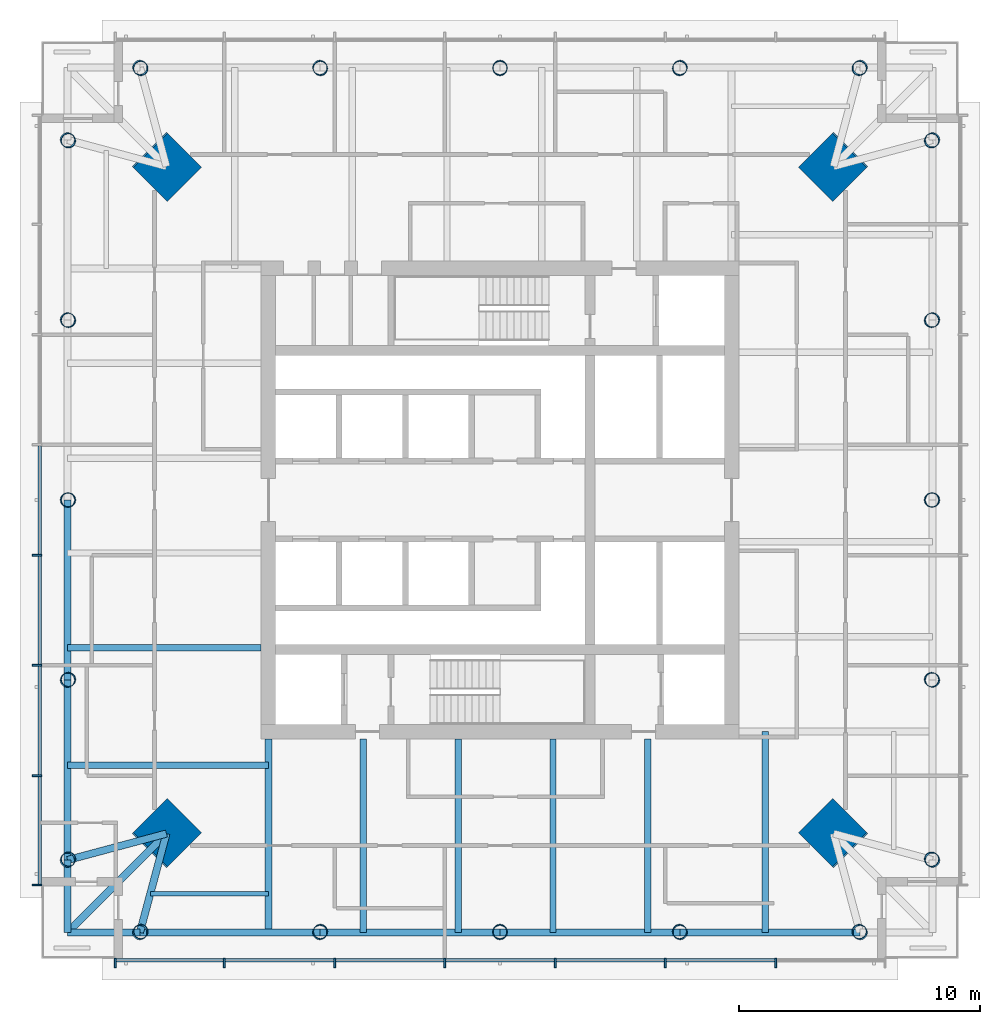
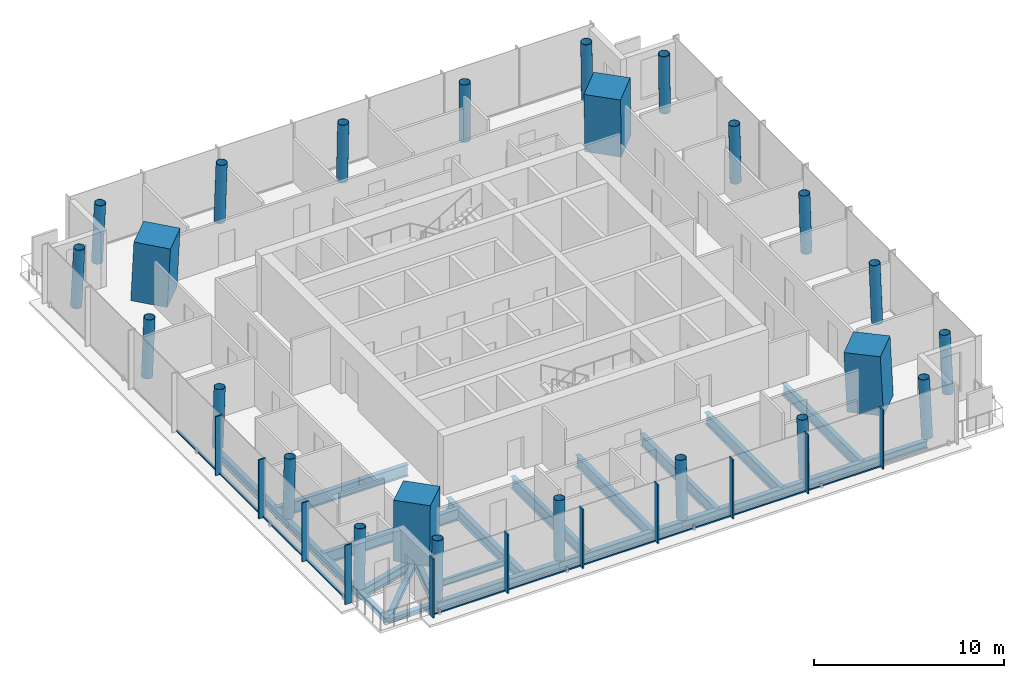
# One storey, part 1 of 11: 24 columns, 21 members, 20 beams, 2 elements without a shape of their own.
"""IFC4 building model written with IfcOpenShell, lengths in metres."""

import ifcopenshell
import ifcopenshell.guid

model = None  # the IFC model being written
_history = None  # IfcOwnerHistory: only IFC2X3 demands one
_inside = {}  # id of a spatial element -> (the spatial element, [elements in it])
_under = {}  # id of a project, library or spatial element -> (it, [spatial elements below it])
_declared = {}  # id of a project -> (the project, [libraries it declares])
_typed = {}  # id of a type object -> (the type object, [elements of that type])
_made_of = {}  # id of a material, layer set ... -> (it, [elements and type objects made of it])


def new_model(schema):
    """Start an empty IFC model of exactly this schema.

    Asked for "IFC4X3", IfcOpenShell would pick the latest addendum, in which some entities
    have other attributes; the version numbers below select the first issue.
    IFC2X3 requires an IfcOwnerHistory on every rooted entity: one is made here for all.
    """
    global model, _history
    if schema == "IFC4X3":
        model = ifcopenshell.file(schema_version=(4, 3, 0, 0))
    else:
        model = ifcopenshell.file(schema=schema)
    _inside.clear()
    _under.clear()
    _declared.clear()
    _typed.clear()
    _made_of.clear()
    _history = None
    if model.schema == "IFC2X3":
        org = make("IfcOrganization", Name="unknown")
        user = make(
            "IfcPersonAndOrganization",
            ThePerson=make("IfcPerson", FamilyName="unknown"),
            TheOrganization=org,
        )
        app = make(
            "IfcApplication",
            ApplicationDeveloper=org,
            Version="unknown",
            ApplicationFullName="unknown",
            ApplicationIdentifier="unknown",
        )
        _history = make(
            "IfcOwnerHistory",
            OwningUser=user,
            OwningApplication=app,
            ChangeAction="ADDED",
            CreationDate=0,
        )
    return model


def make(cls, **values):
    """One entity of the class cls with the attributes given. An attribute that is None is left unset."""
    return model.create_entity(
        cls, **{name: value for name, value in values.items() if value is not None}
    )


def rooted(cls, **values):
    """An entity with a GlobalId (a new one), such as an element, a storey or a relation."""
    return make(cls, GlobalId=ifcopenshell.guid.new(), OwnerHistory=_history, **values)


def si_unit(unit_type, name, prefix=None):
    """IfcSIUnit, for example si_unit("LENGTHUNIT", "METRE", prefix="MILLI")."""
    return make("IfcSIUnit", UnitType=unit_type, Prefix=prefix, Name=name)


def assignment(units):
    """IfcUnitAssignment: the units of a project."""
    return None if units is None else make("IfcUnitAssignment", Units=units)


def point(xyz):
    """IfcCartesianPoint."""
    return None if xyz is None else make("IfcCartesianPoint", Coordinates=xyz)


def direction(xyz):
    """IfcDirection."""
    return None if xyz is None else make("IfcDirection", DirectionRatios=xyz)


def frame(location, z_axis=None, x_axis=None):
    """IfcAxis2Placement3D, a coordinate frame: its origin and axes. An axis left out is left unset."""
    return make(
        "IfcAxis2Placement3D",
        Location=point(location),
        Axis=direction(z_axis),
        RefDirection=direction(x_axis),
    )


def frame_2d(location, x_axis=None):
    """IfcAxis2Placement2D, a coordinate frame in the plane: its origin and x axis."""
    return make(
        "IfcAxis2Placement2D", Location=point(location), RefDirection=direction(x_axis)
    )


def origin():
    """The frame at (0, 0, 0) with its axes left unset."""
    return frame((0.0, 0.0, 0.0))


def origin_2d():
    """The frame at (0, 0) in the plane with its x axis left unset."""
    return frame_2d((0.0, 0.0))


def place(relative_to, where):
    """IfcLocalPlacement: puts the frame where relative to a parent placement (None: the world)."""
    return make(
        "IfcLocalPlacement", PlacementRelTo=relative_to, RelativePlacement=where
    )


def context(
    kind, dimensions, precision=None, world=None, true_north=None, identifier=None
):
    """IfcGeometricRepresentationContext, for example the 3D "Model" context."""
    return make(
        "IfcGeometricRepresentationContext",
        ContextIdentifier=identifier,
        ContextType=kind,
        CoordinateSpaceDimension=dimensions,
        Precision=precision,
        WorldCoordinateSystem=world,
        TrueNorth=true_north,
    )


def subcontext(parent, identifier, kind, view, scale=None):
    """IfcGeometricRepresentationSubContext, for example "Body" below "Model"."""
    return make(
        "IfcGeometricRepresentationSubContext",
        ContextIdentifier=identifier,
        ContextType=kind,
        ParentContext=parent,
        TargetScale=scale,
        TargetView=view,
    )


def project(units=None, contexts=None):
    """IfcProject with its units and contexts."""
    return rooted(
        "IfcProject",
        Name="project",
        RepresentationContexts=contexts,
        UnitsInContext=assignment(units),
    )


def spatial(cls, under=None, at=None, **own):
    """A site, building, storey or space (cls), placed at a placement, below another one or the project."""
    s = rooted(cls, ObjectPlacement=at, **own)
    if under is not None:
        _under.setdefault(under.id(), (under, []))[1].append(s)
    return s


def profile(cls, at=None, kind="AREA", **sizes):
    """A parametric profile (cls). Its sizes go by their IFC names, for example OverallWidth=200.0."""
    return make(cls, ProfileType=kind, Position=at, **sizes)


def rectangle(**sizes):
    """IfcRectangleProfileDef."""
    return profile("IfcRectangleProfileDef", **sizes)


def hollow_circle(**sizes):
    """IfcCircleHollowProfileDef."""
    return profile("IfcCircleHollowProfileDef", **sizes)


def i_section(**sizes):
    """IfcIShapeProfileDef."""
    return profile("IfcIShapeProfileDef", **sizes)


def extrude(swept, where, along, depth):
    """IfcExtrudedAreaSolid: the profile swept, set in the frame where, extruded along a direction by depth."""
    return make(
        "IfcExtrudedAreaSolid",
        SweptArea=swept,
        Position=where,
        ExtrudedDirection=direction(along),
        Depth=depth,
    )


def shape(context_of_items, identifier, shape_type, items):
    """IfcShapeRepresentation: the items that make up one representation, for example the "Body"."""
    return make(
        "IfcShapeRepresentation",
        ContextOfItems=context_of_items,
        RepresentationIdentifier=identifier,
        RepresentationType=shape_type,
        Items=items,
    )


def material(Name=None, Category=None):
    """IfcMaterial."""
    return make("IfcMaterial", Name=Name, Category=Category)


def material_profile(
    of_material, cross_section, Name=None, Category=None, Priority=None
):
    """IfcMaterialProfile: a cross section and its material."""
    return make(
        "IfcMaterialProfile",
        Name=Name,
        Material=of_material,
        Profile=cross_section,
        Priority=Priority,
        Category=Category,
    )


def profile_set(profiles, Name=None, composite=None):
    """IfcMaterialProfileSet."""
    return make(
        "IfcMaterialProfileSet",
        Name=Name,
        MaterialProfiles=profiles,
        CompositeProfile=composite,
    )


def made_of(thing, what):
    """Note that an element or type object is made of a material, layer set ...; save() writes the relation."""
    if what is not None:
        _made_of.setdefault(what.id(), (what, []))[1].append(thing)
    return thing


def type_object(cls, material=None, **own):
    """A type object (cls), such as IfcWallType, which elements share."""
    return made_of(rooted(cls, **own), material)


def element(
    cls,
    number,
    at=None,
    inside=None,
    cuts=None,
    type_object=None,
    material=None,
    context=None,
    identifier="Body",
    shape_type=None,
    held_by="IfcProductDefinitionShape",
    body=None,
    shapes=None,
    **own,
):
    """One element of the class cls, such as IfcWall. Its Tag is "e" and its number.

    at: its placement. inside: the storey or other place that contains it. cuts: it is an
    opening in that element (IfcRelVoidsElement). A single representation is given by context,
    identifier, shape_type and body (its items); several are given by shapes. held_by: the class
    of the entity that holds the representations. save() writes the other relations.
    """
    e = rooted(cls, Tag="e%d" % number, ObjectPlacement=at, **own)
    if body is not None:
        shapes = [shape(context, identifier, shape_type, body)]
    if shapes is not None:
        e.Representation = make(held_by, Representations=shapes)
    if inside is not None:
        _inside.setdefault(inside.id(), (inside, []))[1].append(e)
    if cuts is not None:
        rooted(
            "IfcRelVoidsElement", RelatingBuildingElement=cuts, RelatedOpeningElement=e
        )
    if type_object is not None:
        _typed.setdefault(type_object.id(), (type_object, []))[1].append(e)
    return made_of(e, material)


def aggregate(whole, parts):
    """IfcRelAggregates: a whole, such as a stair, and the parts it consists of."""
    return rooted("IfcRelAggregates", RelatingObject=whole, RelatedObjects=parts)


def save(model, path):
    """Write the relations noted so far, then the file.

    IfcRelAggregates (storeys below a building ...), IfcRelContainedInSpatialStructure (elements
    in a storey), IfcRelDefinesByType, IfcRelAssociatesMaterial and IfcRelDeclares: one each for
    every whole, place, type object, material and project.
    """
    for whole, parts in _under.values():
        aggregate(whole, parts)
    for where, things in _inside.values():
        rooted(
            "IfcRelContainedInSpatialStructure",
            RelatedElements=things,
            RelatingStructure=where,
        )
    for kind, things in _typed.values():
        rooted("IfcRelDefinesByType", RelatedObjects=things, RelatingType=kind)
    for what, things in _made_of.values():
        rooted("IfcRelAssociatesMaterial", RelatedObjects=things, RelatingMaterial=what)
    for by, libraries in _declared.values():
        rooted("IfcRelDeclares", RelatingContext=by, RelatedDefinitions=libraries)
    model.write(path)


model = new_model("IFC4")

# Units and contexts
model_context = context("Model", 3, precision=1e-05, world=origin(), true_north=direction((0.0, 1.0)))
body_context = subcontext(model_context, "Body", "Model", "MODEL_VIEW")
ifc_project = project(units=[si_unit("LENGTHUNIT", "METRE"), si_unit("AREAUNIT", "SQUARE_METRE"), si_unit("VOLUMEUNIT", "CUBIC_METRE"), si_unit("PLANEANGLEUNIT", "RADIAN"), si_unit("MASSUNIT", "GRAM", prefix="KILO")], contexts=[model_context])

# Site, building, storey
site_placement = place(None, origin())
site = spatial("IfcSite", under=ifc_project, at=site_placement, CompositionType="ELEMENT")
building_placement = place(site_placement, origin())
building = spatial("IfcBuilding", under=site, at=building_placement, Name="Ostroluk Exchange", CompositionType="ELEMENT")
storey_placement = place(building_placement, frame((0.0, 0.0, 211.0)))
storey = spatial("IfcBuildingStorey", under=building, at=storey_placement, Name="L54", CompositionType="ELEMENT", Elevation=211.0)

# Columns
ifc_material_1 = material(Name="Concrete C50/60", Category="concrete")
ifc_material_profile_1 = material_profile(ifc_material_1, rectangle(XDim=2.0, YDim=2.0, at=origin_2d()), Name="RC 2000x2000")
ifc_profile_set_1 = profile_set([ifc_material_profile_1], Name="Concrete C50/60")
column_type_1 = type_object("IfcColumnType", Name="Mega column RC 2000x2000", PredefinedType="COLUMN", material=ifc_profile_set_1)
for number, where, z_axis, x_axis, name in (
    (1, (58.82861328125, 59.82861328125, 0.0), (-0.031962158256, -0.031962158256, 0.998977898093), (0.707106781187, -0.707106781187, 0.0), "T1 mega column NE"),
    (2, (31.17138671875, 59.82861328125, 0.0), (0.031962158256, -0.031962158256, 0.998977898093), (0.707106781187, 0.707106781187, 0.0), "T1 mega column NW"),
    (3, (31.17138671875, 32.17138671875, 0.0), (0.031962158256, 0.031962158256, 0.998977898093), (-0.707106781187, 0.707106781187, 0.0), "T1 mega column SW"),
    (4, (58.82861328125, 32.17138671875, 0.0), (-0.031962158256, 0.031962158256, 0.998977898093), (-0.707106781187, -0.707106781187, 0.0), "T1 mega column SE"),
):
    element("IfcColumn", number, at=place(storey_placement, frame(where, z_axis=z_axis, x_axis=x_axis)), inside=storey, type_object=column_type_1, Name=name, PredefinedType="COLUMN", context=body_context, shape_type="SweptSolid", body=[
        extrude(rectangle(XDim=2.0, YDim=2.0, at=origin_2d()), origin(), (0.0, 0.0, 1.0), 3.803955078125),
    ])
ifc_material_2 = material(Name="Steel S460", Category="steel")
ifc_material_profile_2 = material_profile(ifc_material_2, hollow_circle(Radius=0.304931640625, WallThickness=0.02490234375, at=origin_2d()), Name="CHS 610x25")
ifc_profile_set_2 = profile_set([ifc_material_profile_2], Name="Steel S460")
column_type_2 = type_object("IfcColumnType", Name="Perimeter column CHS 610x25", PredefinedType="COLUMN", material=ifc_profile_set_2)
for number, where, z_axis, x_axis, name in (
    (5, (62.928466796875, 31.071533203125, 0.0), (-0.031898107953, 0.031898107953, 0.998981992539), (-0.707106781187, -0.707106781187, 0.0), "T1 east face column E0"),
    (6, (62.928466796875, 60.928466796875, 0.0), (-0.031898107953, -0.031898107953, 0.998981992539), (0.707106781187, -0.707106781187, 0.0), "T1 east face column E1"),
):
    element("IfcColumn", number, at=place(storey_placement, frame(where, z_axis=z_axis, x_axis=x_axis)), inside=storey, type_object=column_type_2, Name=name, PredefinedType="COLUMN", context=body_context, shape_type="SweptSolid", body=[
        extrude(hollow_circle(Radius=0.304931640625, WallThickness=0.02490234375, at=origin_2d()), origin(), (0.0, 0.0, 1.0), 3.803955078125),
    ])
column_1_placement = place(storey_placement, frame((62.928466796875, 38.53564453125, 0.0), z_axis=(-0.031910269556, 0.015987237665, 0.999362868496), x_axis=(-0.447933021895, -0.894067115991, 0.0)))
element("IfcColumn", 7, at=column_1_placement, inside=storey, type_object=column_type_2, Name="T1 east face column I1", PredefinedType="COLUMN", context=body_context, shape_type="SweptSolid", body=[
    extrude(hollow_circle(Radius=0.304931640625, WallThickness=0.02490234375, at=origin_2d()), origin(), (0.0, 0.0, 1.0), 3.802490234375),
])
column_2_placement = place(storey_placement, frame((62.928466796875, 46.0, 0.0), z_axis=(-0.031914348339, 0.0, 0.999490607445), x_axis=(0.0, -1.0, 0.0)))
element("IfcColumn", 8, at=column_2_placement, inside=storey, type_object=column_type_2, Name="T1 east face column I2", PredefinedType="COLUMN", context=body_context, shape_type="SweptSolid", body=[
    extrude(hollow_circle(Radius=0.304931640625, WallThickness=0.02490234375, at=origin_2d()), origin(), (0.0, 0.0, 1.0), 3.802001953125),
])
column_3_placement = place(storey_placement, frame((62.928466796875, 53.46435546875, 0.0), z_axis=(-0.031910269556, -0.015987237665, 0.999362868496), x_axis=(0.447933021895, -0.894067115991, 0.0)))
element("IfcColumn", 9, at=column_3_placement, inside=storey, type_object=column_type_2, Name="T1 east face column I3", PredefinedType="COLUMN", context=body_context, shape_type="SweptSolid", body=[
    extrude(hollow_circle(Radius=0.304931640625, WallThickness=0.02490234375, at=origin_2d()), origin(), (0.0, 0.0, 1.0), 3.802490234375),
])
for number, where, z_axis, x_axis, name in (
    (10, (59.928466796875, 63.928466796875, 0.0), (-0.031898107953, -0.031898107953, 0.998981992539), (0.707106781187, -0.707106781187, 0.0), "T1 north face column E0"),
    (11, (30.071533203125, 63.928466796875, 0.0), (0.031898107953, -0.031898107953, 0.998981992539), (0.707106781187, 0.707106781187, 0.0), "T1 north face column E1"),
):
    element("IfcColumn", number, at=place(storey_placement, frame(where, z_axis=z_axis, x_axis=x_axis)), inside=storey, type_object=column_type_2, Name=name, PredefinedType="COLUMN", context=body_context, shape_type="SweptSolid", body=[
        extrude(hollow_circle(Radius=0.304931640625, WallThickness=0.02490234375, at=origin_2d()), origin(), (0.0, 0.0, 1.0), 3.803955078125),
    ])
column_4_placement = place(storey_placement, frame((52.46435546875, 63.928466796875, 0.0), z_axis=(-0.015987237665, -0.031910269556, 0.999362868496), x_axis=(0.894067115991, -0.447933021895, 0.0)))
element("IfcColumn", 12, at=column_4_placement, inside=storey, type_object=column_type_2, Name="T1 north face column I1", PredefinedType="COLUMN", context=body_context, shape_type="SweptSolid", body=[
    extrude(hollow_circle(Radius=0.304931640625, WallThickness=0.02490234375, at=origin_2d()), origin(), (0.0, 0.0, 1.0), 3.802490234375),
])
column_5_placement = place(storey_placement, frame((45.0, 63.928466796875, 0.0), z_axis=(0.0, -0.031914348339, 0.999490607445), x_axis=(1.0, 0.0, 0.0)))
element("IfcColumn", 13, at=column_5_placement, inside=storey, type_object=column_type_2, Name="T1 north face column I2", PredefinedType="COLUMN", context=body_context, shape_type="SweptSolid", body=[
    extrude(hollow_circle(Radius=0.304931640625, WallThickness=0.02490234375, at=origin_2d()), origin(), (0.0, 0.0, 1.0), 3.802001953125),
])
column_6_placement = place(storey_placement, frame((37.53564453125, 63.928466796875, 0.0), z_axis=(0.015987237665, -0.031910269556, 0.999362868496), x_axis=(0.894067115991, 0.447933021895, 0.0)))
element("IfcColumn", 14, at=column_6_placement, inside=storey, type_object=column_type_2, Name="T1 north face column I3", PredefinedType="COLUMN", context=body_context, shape_type="SweptSolid", body=[
    extrude(hollow_circle(Radius=0.304931640625, WallThickness=0.02490234375, at=origin_2d()), origin(), (0.0, 0.0, 1.0), 3.802490234375),
])
for number, where, z_axis, x_axis, name in (
    (15, (27.071533203125, 60.928466796875, 0.0), (0.031898107953, -0.031898107953, 0.998981992539), (0.707106781187, 0.707106781187, 0.0), "T1 west face column E0"),
    (16, (27.071533203125, 31.071533203125, 0.0), (0.031898107953, 0.031898107953, 0.998981992539), (-0.707106781187, 0.707106781187, 0.0), "T1 west face column E1"),
):
    element("IfcColumn", number, at=place(storey_placement, frame(where, z_axis=z_axis, x_axis=x_axis)), inside=storey, type_object=column_type_2, Name=name, PredefinedType="COLUMN", context=body_context, shape_type="SweptSolid", body=[
        extrude(hollow_circle(Radius=0.304931640625, WallThickness=0.02490234375, at=origin_2d()), origin(), (0.0, 0.0, 1.0), 3.803955078125),
    ])
column_7_placement = place(storey_placement, frame((27.071533203125, 53.46435546875, 0.0), z_axis=(0.031910269556, -0.015987237665, 0.999362868496), x_axis=(0.447933021895, 0.894067115991, 0.0)))
element("IfcColumn", 17, at=column_7_placement, inside=storey, type_object=column_type_2, Name="T1 west face column I1", PredefinedType="COLUMN", context=body_context, shape_type="SweptSolid", body=[
    extrude(hollow_circle(Radius=0.304931640625, WallThickness=0.02490234375, at=origin_2d()), origin(), (0.0, 0.0, 1.0), 3.802490234375),
])
column_8_placement = place(storey_placement, frame((27.071533203125, 46.0, 0.0), z_axis=(0.031914348339, 0.0, 0.999490607445), x_axis=(0.0, 1.0, 0.0)))
element("IfcColumn", 18, at=column_8_placement, inside=storey, type_object=column_type_2, Name="T1 west face column I2", PredefinedType="COLUMN", context=body_context, shape_type="SweptSolid", body=[
    extrude(hollow_circle(Radius=0.304931640625, WallThickness=0.02490234375, at=origin_2d()), origin(), (0.0, 0.0, 1.0), 3.802001953125),
])
column_9_placement = place(storey_placement, frame((27.071533203125, 38.53564453125, 0.0), z_axis=(0.031910269556, 0.015987237665, 0.999362868496), x_axis=(-0.447933021895, 0.894067115991, 0.0)))
element("IfcColumn", 19, at=column_9_placement, inside=storey, type_object=column_type_2, Name="T1 west face column I3", PredefinedType="COLUMN", context=body_context, shape_type="SweptSolid", body=[
    extrude(hollow_circle(Radius=0.304931640625, WallThickness=0.02490234375, at=origin_2d()), origin(), (0.0, 0.0, 1.0), 3.802490234375),
])
for number, where, z_axis, x_axis, name in (
    (20, (30.071533203125, 28.071533203125, 0.0), (0.031898107953, 0.031898107953, 0.998981992539), (-0.707106781187, 0.707106781187, 0.0), "T1 south face column E0"),
    (21, (59.928466796875, 28.071533203125, 0.0), (-0.031898107953, 0.031898107953, 0.998981992539), (-0.707106781187, -0.707106781187, 0.0), "T1 south face column E1"),
):
    element("IfcColumn", number, at=place(storey_placement, frame(where, z_axis=z_axis, x_axis=x_axis)), inside=storey, type_object=column_type_2, Name=name, PredefinedType="COLUMN", context=body_context, shape_type="SweptSolid", body=[
        extrude(hollow_circle(Radius=0.304931640625, WallThickness=0.02490234375, at=origin_2d()), origin(), (0.0, 0.0, 1.0), 3.803955078125),
    ])
column_10_placement = place(storey_placement, frame((37.53564453125, 28.071533203125, 0.0), z_axis=(0.015987237665, 0.031910269556, 0.999362868496), x_axis=(-0.894067115991, 0.447933021895, 0.0)))
element("IfcColumn", 22, at=column_10_placement, inside=storey, type_object=column_type_2, Name="T1 south face column I1", PredefinedType="COLUMN", context=body_context, shape_type="SweptSolid", body=[
    extrude(hollow_circle(Radius=0.304931640625, WallThickness=0.02490234375, at=origin_2d()), origin(), (0.0, 0.0, 1.0), 3.802490234375),
])
column_11_placement = place(storey_placement, frame((45.0, 28.071533203125, 0.0), z_axis=(0.0, 0.031914348339, 0.999490607445), x_axis=(-1.0, 0.0, 0.0)))
element("IfcColumn", 23, at=column_11_placement, inside=storey, type_object=column_type_2, Name="T1 south face column I2", PredefinedType="COLUMN", context=body_context, shape_type="SweptSolid", body=[
    extrude(hollow_circle(Radius=0.304931640625, WallThickness=0.02490234375, at=origin_2d()), origin(), (0.0, 0.0, 1.0), 3.802001953125),
])
column_12_placement = place(storey_placement, frame((52.46435546875, 28.071533203125, 0.0), z_axis=(-0.015987237665, 0.031910269556, 0.999362868496), x_axis=(-0.894067115991, -0.447933021895, 0.0)))
element("IfcColumn", 24, at=column_12_placement, inside=storey, type_object=column_type_2, Name="T1 south face column I3", PredefinedType="COLUMN", context=body_context, shape_type="SweptSolid", body=[
    extrude(hollow_circle(Radius=0.304931640625, WallThickness=0.02490234375, at=origin_2d()), origin(), (0.0, 0.0, 1.0), 3.802490234375),
])

# Beams
ifc_material_3 = material(Name="Steel S355", Category="steel")
ifc_material_profile_3 = material_profile(ifc_material_3, i_section(OverallWidth=0.300048828125, OverallDepth=0.300048828125, WebThickness=0.010986328125, FlangeThickness=0.01904296875, FilletRadius=0.027099609375, at=origin_2d()), Name="HEB 300")
ifc_profile_set_3 = profile_set([ifc_material_profile_3], Name="Steel S355")
beam_type_1 = type_object("IfcBeamType", Name="Balcony beam HEB 300", PredefinedType="BEAM", material=ifc_profile_set_3)
for number, where, z_axis, x_axis, name in (
    (25, (27.071533203125, 31.071533203125, -0.330078125), (0.0, -1.0, 0.0), (1.0, 0.0, 0.0), "T1 west balcony beam a"),
    (26, (30.071533203125, 28.071533203125, -0.330078125), (-1.0, 0.0, 0.0), (0.0, -1.0, 0.0), "T1 west balcony beam b"),
):
    element("IfcBeam", number, at=place(storey_placement, frame(where, z_axis=z_axis, x_axis=x_axis)), inside=storey, type_object=beam_type_1, Name=name, PredefinedType="BEAM", context=body_context, shape_type="SweptSolid", body=[
        extrude(i_section(OverallWidth=0.300048828125, OverallDepth=0.300048828125, WebThickness=0.010986328125, FlangeThickness=0.01904296875, FilletRadius=0.027099609375, at=origin_2d()), origin(), (0.0, 0.0, 1.0), 3.0),
    ])
beam_1_placement = place(storey_placement, frame((31.17138671875, 32.17138671875, -0.330078125), z_axis=(-0.707106781187, -0.707106781187, 0.0), x_axis=(0.707106781187, -0.707106781187, 0.0)))
element("IfcBeam", 27, at=beam_1_placement, inside=storey, type_object=beam_type_1, Name="T1 west balcony beam c", PredefinedType="BEAM", context=body_context, shape_type="SweptSolid", body=[
    extrude(i_section(OverallWidth=0.300048828125, OverallDepth=0.300048828125, WebThickness=0.010986328125, FlangeThickness=0.01904296875, FilletRadius=0.027099609375, at=origin_2d()), origin(), (0.0, 0.0, 1.0), 5.798095703125),
])
ifc_material_4 = material(Name="Steel S355", Category="steel")
ifc_material_profile_4 = material_profile(ifc_material_4, i_section(OverallWidth=0.300048828125, OverallDepth=0.60009765625, WebThickness=0.015380859375, FlangeThickness=0.030029296875, FilletRadius=0.027099609375, at=origin_2d()), Name="HEB 600")
ifc_profile_set_4 = profile_set([ifc_material_profile_4], Name="Steel S355")
beam_type_2 = type_object("IfcBeamType", Name="Corner edge beam HEB 600", PredefinedType="SPANDREL", material=ifc_profile_set_4)
for number, where, z_axis, x_axis, name in (
    (28, (31.17138671875, 32.17138671875, -0.47998046875), (-0.965849156574, -0.259105011038, 0.0), (0.259105011038, -0.965849156574, 0.0), "T1 west corner edge beam a"),
    (29, (31.17138671875, 32.17138671875, -0.47998046875), (-0.259105011038, -0.965849156574, 0.0), (0.965849156574, -0.259105011038, 0.0), "T1 west corner edge beam b"),
):
    element("IfcBeam", number, at=place(storey_placement, frame(where, z_axis=z_axis, x_axis=x_axis)), inside=storey, type_object=beam_type_2, Name=name, PredefinedType="SPANDREL", context=body_context, shape_type="SweptSolid", body=[
        extrude(i_section(OverallWidth=0.300048828125, OverallDepth=0.60009765625, WebThickness=0.015380859375, FlangeThickness=0.030029296875, FilletRadius=0.027099609375, at=origin_2d()), origin(), (0.0, 0.0, 1.0), 4.244873046875),
    ])
ifc_material_5 = material(Name="Steel S355", Category="steel")
ifc_material_profile_5 = material_profile(ifc_material_5, i_section(OverallWidth=0.179931640625, OverallDepth=0.39990234375, WebThickness=0.008544921875, FlangeThickness=0.013427734375, FilletRadius=0.02099609375, at=origin_2d()), Name="IPE 400")
ifc_profile_set_5 = profile_set([ifc_material_profile_5], Name="Steel S355")
beam_type_3 = type_object("IfcBeamType", Name="Floor beam IPE 400", PredefinedType="BEAM", material=ifc_profile_set_5)
beam_2_placement = place(storey_placement, frame((35.39990234375, 29.67138671875, -0.3798828125), z_axis=(-1.0, 0.0, 0.0), x_axis=(0.0, -1.0, 0.0)))
element("IfcBeam", 30, at=beam_2_placement, inside=storey, type_object=beam_type_3, Name="T1 west floor beam 6", PredefinedType="BEAM", context=body_context, shape_type="SweptSolid", body=[
    extrude(i_section(OverallWidth=0.179931640625, OverallDepth=0.39990234375, WebThickness=0.008544921875, FlangeThickness=0.013427734375, FilletRadius=0.02099609375, at=origin_2d()), origin(), (0.0, 0.0, 1.0), 4.899169921875),
])
ifc_material_6 = material(Name="Steel S355", Category="steel")
ifc_material_profile_6 = material_profile(ifc_material_6, i_section(OverallWidth=0.264892578125, OverallDepth=0.7529296875, WebThickness=0.01318359375, FlangeThickness=0.01708984375, FilletRadius=0.01708984375, at=origin_2d()), Name="IPE 750x147")
ifc_profile_set_6 = profile_set([ifc_material_profile_6], Name="Steel S355")
beam_type_4 = type_object("IfcBeamType", Name="Floor beam IPE 750x147", PredefinedType="BEAM", material=ifc_profile_set_6)
beam_3_placement = place(storey_placement, frame((35.10009765625, 39.869384765625, -0.556396484375), z_axis=(-1.0, 0.0, 0.0), x_axis=(0.0, -1.0, 0.0)))
element("IfcBeam", 31, at=beam_3_placement, inside=storey, type_object=beam_type_4, Name="T1 west floor beam 4", PredefinedType="BEAM", context=body_context, shape_type="SweptSolid", body=[
    extrude(i_section(OverallWidth=0.264892578125, OverallDepth=0.7529296875, WebThickness=0.01318359375, FlangeThickness=0.01708984375, FilletRadius=0.01708984375, at=origin_2d()), origin(), (0.0, 0.0, 1.0), 8.028564453125),
])
beam_4_placement = place(storey_placement, frame((35.39990234375, 35.0, -0.556396484375), z_axis=(-1.0, 0.0, 0.0), x_axis=(0.0, -1.0, 0.0)))
element("IfcBeam", 32, at=beam_4_placement, inside=storey, type_object=beam_type_4, Name="T1 west floor beam 5", PredefinedType="BEAM", context=body_context, shape_type="SweptSolid", body=[
    extrude(i_section(OverallWidth=0.264892578125, OverallDepth=0.7529296875, WebThickness=0.01318359375, FlangeThickness=0.01708984375, FilletRadius=0.01708984375, at=origin_2d()), origin(), (0.0, 0.0, 1.0), 8.328369140625),
])
for number, where, z_axis, x_axis, name in (
    (33, (39.332763671875, 36.10009765625, -0.556396484375), (0.0, -1.0, 0.0), (1.0, 0.0, 0.0), "T1 south floor beam 1"),
    (34, (43.265380859375, 36.10009765625, -0.556396484375), (0.0, -1.0, 0.0), (1.0, 0.0, 0.0), "T1 south floor beam 2"),
    (35, (47.197998046875, 36.10009765625, -0.556396484375), (0.0, -1.0, 0.0), (1.0, 0.0, 0.0), "T1 south floor beam 3"),
    (36, (51.130615234375, 36.10009765625, -0.556396484375), (0.0, -1.0, 0.0), (1.0, 0.0, 0.0), "T1 south floor beam 4"),
):
    element("IfcBeam", number, at=place(storey_placement, frame(where, z_axis=z_axis, x_axis=x_axis)), inside=storey, type_object=beam_type_4, Name=name, PredefinedType="BEAM", context=body_context, shape_type="SweptSolid", body=[
        extrude(i_section(OverallWidth=0.264892578125, OverallDepth=0.7529296875, WebThickness=0.01318359375, FlangeThickness=0.01708984375, FilletRadius=0.01708984375, at=origin_2d()), origin(), (0.0, 0.0, 1.0), 8.028564453125),
    ])
beam_5_placement = place(storey_placement, frame((56.0, 36.39990234375, -0.556396484375), z_axis=(0.0, -1.0, 0.0), x_axis=(1.0, 0.0, 0.0)))
element("IfcBeam", 37, at=beam_5_placement, inside=storey, type_object=beam_type_4, Name="T1 south floor beam 5", PredefinedType="BEAM", context=body_context, shape_type="SweptSolid", body=[
    extrude(i_section(OverallWidth=0.264892578125, OverallDepth=0.7529296875, WebThickness=0.01318359375, FlangeThickness=0.01708984375, FilletRadius=0.01708984375, at=origin_2d()), origin(), (0.0, 0.0, 1.0), 8.328369140625),
])
ifc_material_7 = material(Name="Steel S355", Category="steel")
ifc_material_profile_7 = material_profile(ifc_material_7, i_section(OverallWidth=0.300048828125, OverallDepth=0.699951171875, WebThickness=0.01708984375, FlangeThickness=0.031982421875, FilletRadius=0.027099609375, at=origin_2d()), Name="HEB 700")
ifc_profile_set_7 = profile_set([ifc_material_profile_7], Name="Steel S355")
beam_type_5 = type_object("IfcBeamType", Name="Girder HEB 700", PredefinedType="BEAM", material=ifc_profile_set_7)
beam_6_placement = place(storey_placement, frame((35.39990234375, 36.10009765625, -0.530029296875), z_axis=(0.0, -1.0, 0.0), x_axis=(1.0, 0.0, 0.0)))
element("IfcBeam", 38, at=beam_6_placement, inside=storey, type_object=beam_type_5, Name="T1 west girder", PredefinedType="BEAM", context=body_context, shape_type="SweptSolid", body=[
    extrude(i_section(OverallWidth=0.300048828125, OverallDepth=0.699951171875, WebThickness=0.01708984375, FlangeThickness=0.031982421875, FilletRadius=0.027099609375, at=origin_2d()), origin(), (0.0, 0.0, 1.0), 8.028564453125),
])
ifc_material_8 = material(Name="Steel S355", Category="steel")
ifc_material_profile_8 = material_profile(ifc_material_8, i_section(OverallWidth=0.300048828125, OverallDepth=0.5, WebThickness=0.014404296875, FlangeThickness=0.028076171875, FilletRadius=0.027099609375, at=origin_2d()), Name="HEB 500")
ifc_profile_set_8 = profile_set([ifc_material_profile_8], Name="Steel S355")
beam_type_6 = type_object("IfcBeamType", Name="Moment-connected edge beam HEB 500", PredefinedType="SPANDREL", material=ifc_profile_set_8)
beam_7_placement = place(storey_placement, frame((27.071533203125, 46.0, -0.429931640625), z_axis=(0.0, -1.0, 0.0), x_axis=(1.0, 0.0, 0.0)))
element("IfcBeam", 39, at=beam_7_placement, inside=storey, type_object=beam_type_6, Name="T1 west edge beam 3", PredefinedType="SPANDREL", context=body_context, shape_type="SweptSolid", body=[
    extrude(i_section(OverallWidth=0.300048828125, OverallDepth=0.5, WebThickness=0.014404296875, FlangeThickness=0.028076171875, FilletRadius=0.027099609375, at=origin_2d()), origin(), (0.0, 0.0, 1.0), 7.46435546875),
])
for number, where, z_axis, x_axis, name in (
    (40, (27.071533203125, 38.53564453125, -0.429931640625), (0.0, -1.0, 0.0), (1.0, 0.0, 0.0), "T1 west edge beam 4"),
    (41, (30.071533203125, 28.071533203125, -0.429931640625), (1.0, 0.0, 0.0), (0.0, 1.0, 0.0), "T1 south edge beam 1"),
):
    element("IfcBeam", number, at=place(storey_placement, frame(where, z_axis=z_axis, x_axis=x_axis)), inside=storey, type_object=beam_type_6, Name=name, PredefinedType="SPANDREL", context=body_context, shape_type="SweptSolid", body=[
        extrude(i_section(OverallWidth=0.300048828125, OverallDepth=0.5, WebThickness=0.014404296875, FlangeThickness=0.028076171875, FilletRadius=0.027099609375, at=origin_2d()), origin(), (0.0, 0.0, 1.0), 7.464111328125),
    ])
for number, where, z_axis, x_axis, name in (
    (42, (37.53564453125, 28.071533203125, -0.429931640625), (1.0, 0.0, 0.0), (0.0, 1.0, 0.0), "T1 south edge beam 2"),
    (43, (45.0, 28.071533203125, -0.429931640625), (1.0, 0.0, 0.0), (0.0, 1.0, 0.0), "T1 south edge beam 3"),
):
    element("IfcBeam", number, at=place(storey_placement, frame(where, z_axis=z_axis, x_axis=x_axis)), inside=storey, type_object=beam_type_6, Name=name, PredefinedType="SPANDREL", context=body_context, shape_type="SweptSolid", body=[
        extrude(i_section(OverallWidth=0.300048828125, OverallDepth=0.5, WebThickness=0.014404296875, FlangeThickness=0.028076171875, FilletRadius=0.027099609375, at=origin_2d()), origin(), (0.0, 0.0, 1.0), 7.46435546875),
    ])
beam_8_placement = place(storey_placement, frame((52.46435546875, 28.071533203125, -0.429931640625), z_axis=(1.0, 0.0, 0.0), x_axis=(0.0, 1.0, 0.0)))
element("IfcBeam", 44, at=beam_8_placement, inside=storey, type_object=beam_type_6, Name="T1 south edge beam 4", PredefinedType="SPANDREL", context=body_context, shape_type="SweptSolid", body=[
    extrude(i_section(OverallWidth=0.300048828125, OverallDepth=0.5, WebThickness=0.014404296875, FlangeThickness=0.028076171875, FilletRadius=0.027099609375, at=origin_2d()), origin(), (0.0, 0.0, 1.0), 7.464111328125),
])

# Curtain wall, members
ifc_material_9 = material(Name="Laminated clear glass", Category="glass")
curtain_wall_type = type_object("IfcCurtainWallType", Name="Office tower facade", PredefinedType="USERDEFINED", material=ifc_material_9)
curtain_wall_1_placement = place(storey_placement, origin())
curtain_wall_1 = element("IfcCurtainWall", 45, at=curtain_wall_1_placement, inside=storey, type_object=curtain_wall_type, Name="Office tower south facade L54", ObjectType="UNITISED CURTAIN WALL", PredefinedType="USERDEFINED")
ifc_material_10 = material(Name="Aluminium mullion", Category="aluminium")
ifc_material_profile_9 = material_profile(ifc_material_10, rectangle(XDim=0.14990234375, YDim=0.080078125, at=origin_2d()), Name="Sill transom 80 x 150")
ifc_profile_set_9 = profile_set([ifc_material_profile_9], Name="Aluminium mullion")
member_type_1 = type_object("IfcMemberType", Name="Sill transom 80 x 150", PredefinedType="USERDEFINED", material=ifc_profile_set_9)
member_1_placement = place(storey_placement, frame((29.080078125, 26.925048828125, 0.0400390625), z_axis=(1.0, 0.0, 0.0), x_axis=(0.0, 1.0, 0.0)))
member_1 = element("IfcMember", 46, at=member_1_placement, type_object=member_type_1, Name="CW-O1 transom 1.1", ObjectType="TRANSOM", PredefinedType="USERDEFINED", context=body_context, shape_type="SweptSolid", body=[
    extrude(rectangle(XDim=0.14990234375, YDim=0.080078125, at=origin_2d()), origin(), (0.0, 0.0, 1.0), 4.451416015625),
])
member_2_placement = place(storey_placement, frame((33.611328125, 26.925048828125, 0.0400390625), z_axis=(1.0, 0.0, 0.0), x_axis=(0.0, 1.0, 0.0)))
member_2 = element("IfcMember", 47, at=member_2_placement, type_object=member_type_1, Name="CW-O1 transom 2.1", ObjectType="TRANSOM", PredefinedType="USERDEFINED", context=body_context, shape_type="SweptSolid", body=[
    extrude(rectangle(XDim=0.14990234375, YDim=0.080078125, at=origin_2d()), origin(), (0.0, 0.0, 1.0), 4.491455078125),
])
member_3_placement = place(storey_placement, frame((38.182861328125, 26.925048828125, 0.0400390625), z_axis=(1.0, 0.0, 0.0), x_axis=(0.0, 1.0, 0.0)))
member_3 = element("IfcMember", 48, at=member_3_placement, type_object=member_type_1, Name="CW-O1 transom 3.1", ObjectType="TRANSOM", PredefinedType="USERDEFINED", context=body_context, shape_type="SweptSolid", body=[
    extrude(rectangle(XDim=0.14990234375, YDim=0.080078125, at=origin_2d()), origin(), (0.0, 0.0, 1.0), 4.491455078125),
])
member_4_placement = place(storey_placement, frame((42.75439453125, 26.925048828125, 0.0400390625), z_axis=(1.0, 0.0, 0.0), x_axis=(0.0, 1.0, 0.0)))
member_4 = element("IfcMember", 49, at=member_4_placement, type_object=member_type_1, Name="CW-O1 transom 4.1", ObjectType="TRANSOM", PredefinedType="USERDEFINED", context=body_context, shape_type="SweptSolid", body=[
    extrude(rectangle(XDim=0.14990234375, YDim=0.080078125, at=origin_2d()), origin(), (0.0, 0.0, 1.0), 4.4912109375),
])
member_5_placement = place(storey_placement, frame((47.32568359375, 26.925048828125, 0.0400390625), z_axis=(1.0, 0.0, 0.0), x_axis=(0.0, 1.0, 0.0)))
member_5 = element("IfcMember", 50, at=member_5_placement, type_object=member_type_1, Name="CW-O1 transom 5.1", ObjectType="TRANSOM", PredefinedType="USERDEFINED", context=body_context, shape_type="SweptSolid", body=[
    extrude(rectangle(XDim=0.14990234375, YDim=0.080078125, at=origin_2d()), origin(), (0.0, 0.0, 1.0), 4.491455078125),
])
member_6_placement = place(storey_placement, frame((51.897216796875, 26.925048828125, 0.0400390625), z_axis=(1.0, 0.0, 0.0), x_axis=(0.0, 1.0, 0.0)))
member_6 = element("IfcMember", 51, at=member_6_placement, type_object=member_type_1, Name="CW-O1 transom 6.1", ObjectType="TRANSOM", PredefinedType="USERDEFINED", context=body_context, shape_type="SweptSolid", body=[
    extrude(rectangle(XDim=0.14990234375, YDim=0.080078125, at=origin_2d()), origin(), (0.0, 0.0, 1.0), 4.491455078125),
])

curtain_wall_2_placement = place(storey_placement, origin())
curtain_wall_2 = element("IfcCurtainWall", 52, at=curtain_wall_2_placement, inside=storey, type_object=curtain_wall_type, Name="Office tower west facade L54", ObjectType="UNITISED CURTAIN WALL", PredefinedType="USERDEFINED")
member_7_placement = place(storey_placement, frame((25.925048828125, 48.24560546875, 0.0400390625), z_axis=(0.0, -1.0, 0.0), x_axis=(1.0, 0.0, 0.0)))
member_7 = element("IfcMember", 53, at=member_7_placement, type_object=member_type_1, Name="CW-O1 transom 4.1", ObjectType="TRANSOM", PredefinedType="USERDEFINED", context=body_context, shape_type="SweptSolid", body=[
    extrude(rectangle(XDim=0.14990234375, YDim=0.080078125, at=origin_2d()), origin(), (0.0, 0.0, 1.0), 4.4912109375),
])
member_8_placement = place(storey_placement, frame((25.925048828125, 43.67431640625, 0.0400390625), z_axis=(0.0, -1.0, 0.0), x_axis=(1.0, 0.0, 0.0)))
member_8 = element("IfcMember", 54, at=member_8_placement, type_object=member_type_1, Name="CW-O1 transom 5.1", ObjectType="TRANSOM", PredefinedType="USERDEFINED", context=body_context, shape_type="SweptSolid", body=[
    extrude(rectangle(XDim=0.14990234375, YDim=0.080078125, at=origin_2d()), origin(), (0.0, 0.0, 1.0), 4.491455078125),
])
member_9_placement = place(storey_placement, frame((25.925048828125, 39.102783203125, 0.0400390625), z_axis=(0.0, -1.0, 0.0), x_axis=(1.0, 0.0, 0.0)))
member_9 = element("IfcMember", 55, at=member_9_placement, type_object=member_type_1, Name="CW-O1 transom 6.1", ObjectType="TRANSOM", PredefinedType="USERDEFINED", context=body_context, shape_type="SweptSolid", body=[
    extrude(rectangle(XDim=0.14990234375, YDim=0.080078125, at=origin_2d()), origin(), (0.0, 0.0, 1.0), 4.491455078125),
])
member_10_placement = place(storey_placement, frame((25.925048828125, 34.531494140625, 0.0400390625), z_axis=(0.0, -1.0, 0.0), x_axis=(1.0, 0.0, 0.0)))
member_10 = element("IfcMember", 56, at=member_10_placement, type_object=member_type_1, Name="CW-O1 transom 7.1", ObjectType="TRANSOM", PredefinedType="USERDEFINED", context=body_context, shape_type="SweptSolid", body=[
    extrude(rectangle(XDim=0.14990234375, YDim=0.080078125, at=origin_2d()), origin(), (0.0, 0.0, 1.0), 4.451416015625),
])

# Member
ifc_material_11 = material(Name="Aluminium mullion with limestone facing", Category="masonry")
ifc_material_profile_10 = material_profile(ifc_material_11, rectangle(XDim=0.39990234375, YDim=0.080078125, at=origin_2d()), Name="Tracery mullion 80 x 400")
ifc_profile_set_10 = profile_set([ifc_material_profile_10], Name="Aluminium mullion with limestone facing")
member_type_2 = type_object("IfcMemberType", Name="Tracery mullion 80 x 400", PredefinedType="MULLION", material=ifc_profile_set_10)
member_11_placement = place(storey_placement, frame((29.0400390625, 26.800048828125, 0.0), z_axis=(0.0, 0.0, 1.0), x_axis=(0.0, 1.0, 0.0)))
member_11 = element("IfcMember", 57, at=member_11_placement, type_object=member_type_2, Name="CW-O1 mullion 1", PredefinedType="MULLION", context=body_context, shape_type="SweptSolid", body=[
    extrude(rectangle(XDim=0.39990234375, YDim=0.080078125, at=origin_2d()), origin(), (0.0, 0.0, 1.0), 3.800048828125),
])

member_12_placement = place(storey_placement, frame((33.571533203125, 26.800048828125, 0.0), z_axis=(0.0, 0.0, 1.0), x_axis=(0.0, 1.0, 0.0)))
member_12 = element("IfcMember", 58, at=member_12_placement, type_object=member_type_2, Name="CW-O1 mullion 2", PredefinedType="MULLION", context=body_context, shape_type="SweptSolid", body=[
    extrude(rectangle(XDim=0.39990234375, YDim=0.080078125, at=origin_2d()), origin(), (0.0, 0.0, 1.0), 3.800048828125),
])

member_13_placement = place(storey_placement, frame((38.142822265625, 26.800048828125, 0.0), z_axis=(0.0, 0.0, 1.0), x_axis=(0.0, 1.0, 0.0)))
member_13 = element("IfcMember", 59, at=member_13_placement, type_object=member_type_2, Name="CW-O1 mullion 3", PredefinedType="MULLION", context=body_context, shape_type="SweptSolid", body=[
    extrude(rectangle(XDim=0.39990234375, YDim=0.080078125, at=origin_2d()), origin(), (0.0, 0.0, 1.0), 3.800048828125),
])

member_14_placement = place(storey_placement, frame((42.71435546875, 26.800048828125, 0.0), z_axis=(0.0, 0.0, 1.0), x_axis=(0.0, 1.0, 0.0)))
member_14 = element("IfcMember", 60, at=member_14_placement, type_object=member_type_2, Name="CW-O1 mullion 4", PredefinedType="MULLION", context=body_context, shape_type="SweptSolid", body=[
    extrude(rectangle(XDim=0.39990234375, YDim=0.080078125, at=origin_2d()), origin(), (0.0, 0.0, 1.0), 3.800048828125),
])

member_15_placement = place(storey_placement, frame((47.28564453125, 26.800048828125, 0.0), z_axis=(0.0, 0.0, 1.0), x_axis=(0.0, 1.0, 0.0)))
member_15 = element("IfcMember", 61, at=member_15_placement, type_object=member_type_2, Name="CW-O1 mullion 5", PredefinedType="MULLION", context=body_context, shape_type="SweptSolid", body=[
    extrude(rectangle(XDim=0.39990234375, YDim=0.080078125, at=origin_2d()), origin(), (0.0, 0.0, 1.0), 3.800048828125),
])

member_16_placement = place(storey_placement, frame((51.857177734375, 26.800048828125, 0.0), z_axis=(0.0, 0.0, 1.0), x_axis=(0.0, 1.0, 0.0)))
member_16 = element("IfcMember", 62, at=member_16_placement, type_object=member_type_2, Name="CW-O1 mullion 6", PredefinedType="MULLION", context=body_context, shape_type="SweptSolid", body=[
    extrude(rectangle(XDim=0.39990234375, YDim=0.080078125, at=origin_2d()), origin(), (0.0, 0.0, 1.0), 3.800048828125),
])

member_17_placement = place(storey_placement, frame((56.428466796875, 26.800048828125, 0.0), z_axis=(0.0, 0.0, 1.0), x_axis=(0.0, 1.0, 0.0)))
member_17 = element("IfcMember", 63, at=member_17_placement, type_object=member_type_2, Name="CW-O1 mullion 7", PredefinedType="MULLION", context=body_context, shape_type="SweptSolid", body=[
    extrude(rectangle(XDim=0.39990234375, YDim=0.080078125, at=origin_2d()), origin(), (0.0, 0.0, 1.0), 3.800048828125),
])

aggregate(curtain_wall_1, [member_11, member_12, member_13, member_14, member_15, member_16, member_17, member_1, member_2, member_3, member_4, member_5, member_6])

member_18_placement = place(storey_placement, frame((25.800048828125, 43.71435546875, 0.0), z_axis=(0.0, 0.0, 1.0), x_axis=(1.0, 0.0, 0.0)))
member_18 = element("IfcMember", 64, at=member_18_placement, type_object=member_type_2, Name="CW-O1 mullion 5", PredefinedType="MULLION", context=body_context, shape_type="SweptSolid", body=[
    extrude(rectangle(XDim=0.39990234375, YDim=0.080078125, at=origin_2d()), origin(), (0.0, 0.0, 1.0), 3.800048828125),
])

member_19_placement = place(storey_placement, frame((25.800048828125, 39.142822265625, 0.0), z_axis=(0.0, 0.0, 1.0), x_axis=(1.0, 0.0, 0.0)))
member_19 = element("IfcMember", 65, at=member_19_placement, type_object=member_type_2, Name="CW-O1 mullion 6", PredefinedType="MULLION", context=body_context, shape_type="SweptSolid", body=[
    extrude(rectangle(XDim=0.39990234375, YDim=0.080078125, at=origin_2d()), origin(), (0.0, 0.0, 1.0), 3.800048828125),
])

member_20_placement = place(storey_placement, frame((25.800048828125, 34.571533203125, 0.0), z_axis=(0.0, 0.0, 1.0), x_axis=(1.0, 0.0, 0.0)))
member_20 = element("IfcMember", 66, at=member_20_placement, type_object=member_type_2, Name="CW-O1 mullion 7", PredefinedType="MULLION", context=body_context, shape_type="SweptSolid", body=[
    extrude(rectangle(XDim=0.39990234375, YDim=0.080078125, at=origin_2d()), origin(), (0.0, 0.0, 1.0), 3.800048828125),
])

member_21_placement = place(storey_placement, frame((25.800048828125, 30.0400390625, 0.0), z_axis=(0.0, 0.0, 1.0), x_axis=(1.0, 0.0, 0.0)))
member_21 = element("IfcMember", 67, at=member_21_placement, type_object=member_type_2, Name="CW-O1 mullion 8", PredefinedType="MULLION", context=body_context, shape_type="SweptSolid", body=[
    extrude(rectangle(XDim=0.39990234375, YDim=0.080078125, at=origin_2d()), origin(), (0.0, 0.0, 1.0), 3.800048828125),
])

aggregate(curtain_wall_2, [member_18, member_19, member_20, member_21, member_7, member_8, member_9, member_10])

save(model, "model.ifc")
